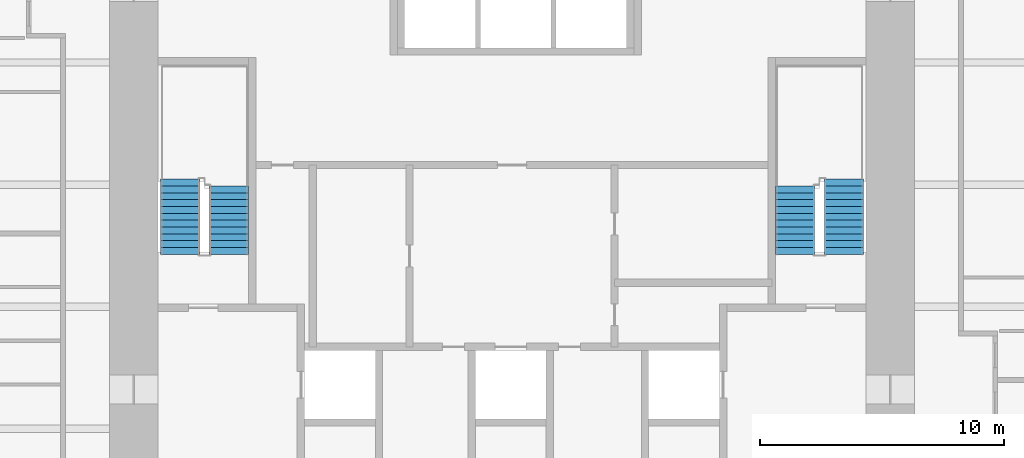
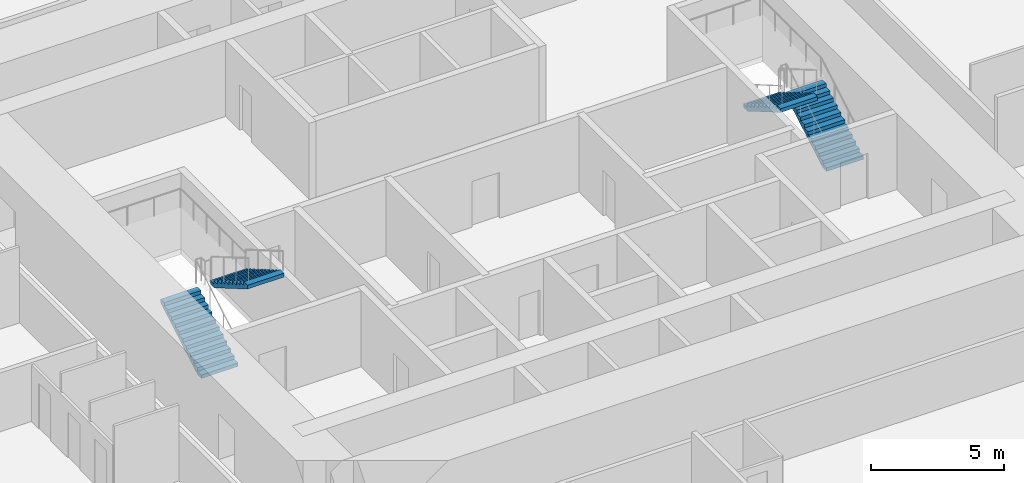
# One storey, part 16 of 17: 4 stair flights, 2 elements without a shape of their own.
"""IFC4 building model written with IfcOpenShell, lengths in metres."""

from ifc_helpers import new_model, si_unit, direction, frame, origin, place, context, subcontext, project, spatial, polyline, outline, extrude, material, type_object, element, aggregate, save


model = new_model("IFC4")

# Units and contexts
model_context = context("Model", 3, precision=1e-05, world=origin(), true_north=direction((0.0, 1.0)))
body_context = subcontext(model_context, "Body", "Model", "MODEL_VIEW")
ifc_project = project(units=[si_unit("LENGTHUNIT", "METRE"), si_unit("AREAUNIT", "SQUARE_METRE"), si_unit("VOLUMEUNIT", "CUBIC_METRE"), si_unit("PLANEANGLEUNIT", "RADIAN"), si_unit("MASSUNIT", "GRAM", prefix="KILO")], contexts=[model_context])

# Site, building, storey
site_placement = place(None, origin())
site = spatial("IfcSite", under=ifc_project, at=site_placement, CompositionType="ELEMENT")
building_placement = place(site_placement, origin())
building = spatial("IfcBuilding", under=site, at=building_placement, Name="Khuree Lantern Residences", CompositionType="ELEMENT")
storey_placement = place(building_placement, frame((0.0, 0.0, 84.75)))
storey = spatial("IfcBuildingStorey", under=building, at=storey_placement, Name="L21", CompositionType="ELEMENT", Elevation=84.75)

# Stair, stair flights
ifc_material = material(Name="Concrete C40/50", Category="concrete")
stair_type = type_object("IfcStairType", Name="STAIR ST1 HALF TURN 3600", PredefinedType="HALF_TURN_STAIR", material=ifc_material)
stair_1_placement = place(storey_placement, origin())
stair_1 = element("IfcStair", 1, at=stair_1_placement, inside=storey, type_object=stair_type, Name="Stair ST1", PredefinedType="HALF_TURN_STAIR")
stair_flight_type = type_object("IfcStairFlightType", Name="STAIR FLIGHT SF1 1600", PredefinedType="STRAIGHT", material=ifc_material)
stair_flight_1_placement = place(storey_placement, frame((-13.60009765625, -2.860107421875, 0.0), z_axis=(0.0, 0.0, 1.0), x_axis=(0.0, 1.0, 0.0)))
stair_flight_1 = element("IfcStairFlight", 2, at=stair_flight_1_placement, type_object=stair_flight_type, Name="ST1 flight 1", NumberOfRisers=12, NumberOfTreads=11, PredefinedType="STRAIGHT", RiserHeight=0.163043478, TreadLength=0.28, context=body_context, shape_type="SweptSolid", body=[
    extrude(outline(polyline([(0.0, 0.0), (0.0, 0.1630859375), (0.280029296875, 0.1630859375), (0.280029296875, 0.326171875), (0.56005859375, 0.326171875), (0.56005859375, 0.489013671875), (0.840087890625, 0.489013671875), (0.840087890625, 0.652099609375), (1.1201171875, 0.652099609375), (1.1201171875, 0.815185546875), (1.39990234375, 0.815185546875), (1.39990234375, 0.978271484375), (1.679931640625, 0.978271484375), (1.679931640625, 1.141357421875), (1.9599609375, 1.141357421875), (1.9599609375, 1.304443359375), (2.239990234375, 1.304443359375), (2.239990234375, 1.46728515625), (2.52001953125, 1.46728515625), (2.52001953125, 1.63037109375), (2.800048828125, 1.63037109375), (2.800048828125, 1.79345703125), (3.080078125, 1.79345703125), (3.080078125, 1.95654296875), (3.080078125, 1.6201171875), (0.2978515625, 0.0), (0.0, 0.0)])), frame((0.0, 0.800048828125, 0.0), z_axis=(0.0, -1.0, 0.0), x_axis=(1.0, 0.0, 0.0)), (0.0, 0.0, 1.0), 1.60009765625),
])
stair_flight_2_placement = place(storey_placement, frame((-11.60009765625, -0.06005859375, 1.95654296875), z_axis=(0.0, 0.0, 1.0), x_axis=(0.0, -1.0, 0.0)))
stair_flight_2 = element("IfcStairFlight", 3, at=stair_flight_2_placement, type_object=stair_flight_type, Name="ST1 flight 2", NumberOfRisers=11, NumberOfTreads=10, PredefinedType="STRAIGHT", RiserHeight=0.163043478, TreadLength=0.28, context=body_context, shape_type="SweptSolid", body=[
    extrude(outline(polyline([(0.0, 0.0), (0.0, 0.1630859375), (0.280029296875, 0.1630859375), (0.280029296875, 0.326171875), (0.56005859375, 0.326171875), (0.56005859375, 0.489013671875), (0.840087890625, 0.489013671875), (0.840087890625, 0.652099609375), (1.1201171875, 0.652099609375), (1.1201171875, 0.815185546875), (1.39990234375, 0.815185546875), (1.39990234375, 0.978271484375), (1.679931640625, 0.978271484375), (1.679931640625, 1.141357421875), (1.9599609375, 1.141357421875), (1.9599609375, 1.304443359375), (2.239990234375, 1.304443359375), (2.239990234375, 1.46728515625), (2.52001953125, 1.46728515625), (2.52001953125, 1.63037109375), (2.800048828125, 1.63037109375), (2.800048828125, 1.79345703125), (2.800048828125, 1.45703125), (0.2978515625, 0.0), (0.0, 0.0)])), frame((0.0, 0.800048828125, 0.0), z_axis=(0.0, -1.0, 0.0), x_axis=(1.0, 0.0, 0.0)), (0.0, 0.0, 1.0), 1.60009765625),
])
aggregate(stair_1, [stair_flight_1, stair_flight_2])

stair_2_placement = place(storey_placement, origin())
stair_2 = element("IfcStair", 4, at=stair_2_placement, inside=storey, type_object=stair_type, Name="Stair ST2", PredefinedType="HALF_TURN_STAIR")
stair_flight_3_placement = place(storey_placement, frame((13.60009765625, -2.860107421875, 0.0), z_axis=(0.0, 0.0, 1.0), x_axis=(0.0, 1.0, 0.0)))
stair_flight_3 = element("IfcStairFlight", 5, at=stair_flight_3_placement, type_object=stair_flight_type, Name="ST2 flight 1", NumberOfRisers=12, NumberOfTreads=11, PredefinedType="STRAIGHT", RiserHeight=0.163043478, TreadLength=0.28, context=body_context, shape_type="SweptSolid", body=[
    extrude(outline(polyline([(0.0, 0.0), (0.0, 0.1630859375), (0.280029296875, 0.1630859375), (0.280029296875, 0.326171875), (0.56005859375, 0.326171875), (0.56005859375, 0.489013671875), (0.840087890625, 0.489013671875), (0.840087890625, 0.652099609375), (1.1201171875, 0.652099609375), (1.1201171875, 0.815185546875), (1.39990234375, 0.815185546875), (1.39990234375, 0.978271484375), (1.679931640625, 0.978271484375), (1.679931640625, 1.141357421875), (1.9599609375, 1.141357421875), (1.9599609375, 1.304443359375), (2.239990234375, 1.304443359375), (2.239990234375, 1.46728515625), (2.52001953125, 1.46728515625), (2.52001953125, 1.63037109375), (2.800048828125, 1.63037109375), (2.800048828125, 1.79345703125), (3.080078125, 1.79345703125), (3.080078125, 1.95654296875), (3.080078125, 1.6201171875), (0.2978515625, 0.0), (0.0, 0.0)])), frame((0.0, 0.800048828125, 0.0), z_axis=(0.0, -1.0, 0.0), x_axis=(1.0, 0.0, 0.0)), (0.0, 0.0, 1.0), 1.60009765625),
])
stair_flight_4_placement = place(storey_placement, frame((11.60009765625, -0.06005859375, 1.95654296875), z_axis=(0.0, 0.0, 1.0), x_axis=(0.0, -1.0, 0.0)))
stair_flight_4 = element("IfcStairFlight", 6, at=stair_flight_4_placement, type_object=stair_flight_type, Name="ST2 flight 2", NumberOfRisers=11, NumberOfTreads=10, PredefinedType="STRAIGHT", RiserHeight=0.163043478, TreadLength=0.28, context=body_context, shape_type="SweptSolid", body=[
    extrude(outline(polyline([(0.0, 0.0), (0.0, 0.1630859375), (0.280029296875, 0.1630859375), (0.280029296875, 0.326171875), (0.56005859375, 0.326171875), (0.56005859375, 0.489013671875), (0.840087890625, 0.489013671875), (0.840087890625, 0.652099609375), (1.1201171875, 0.652099609375), (1.1201171875, 0.815185546875), (1.39990234375, 0.815185546875), (1.39990234375, 0.978271484375), (1.679931640625, 0.978271484375), (1.679931640625, 1.141357421875), (1.9599609375, 1.141357421875), (1.9599609375, 1.304443359375), (2.239990234375, 1.304443359375), (2.239990234375, 1.46728515625), (2.52001953125, 1.46728515625), (2.52001953125, 1.63037109375), (2.800048828125, 1.63037109375), (2.800048828125, 1.79345703125), (2.800048828125, 1.45703125), (0.2978515625, 0.0), (0.0, 0.0)])), frame((0.0, 0.800048828125, 0.0), z_axis=(0.0, -1.0, 0.0), x_axis=(1.0, 0.0, 0.0)), (0.0, 0.0, 1.0), 1.60009765625),
])
aggregate(stair_2, [stair_flight_3, stair_flight_4])

save(model, "model.ifc")
